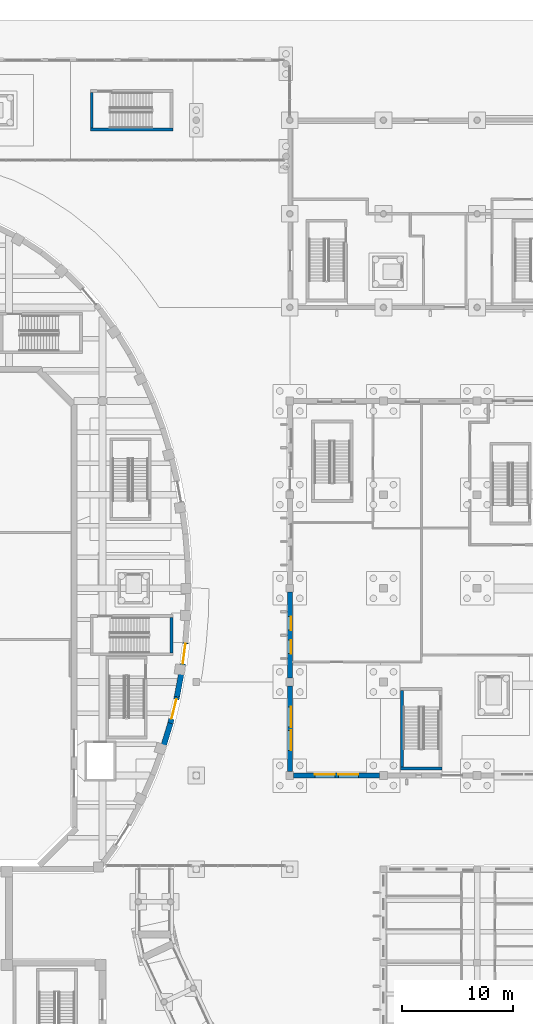
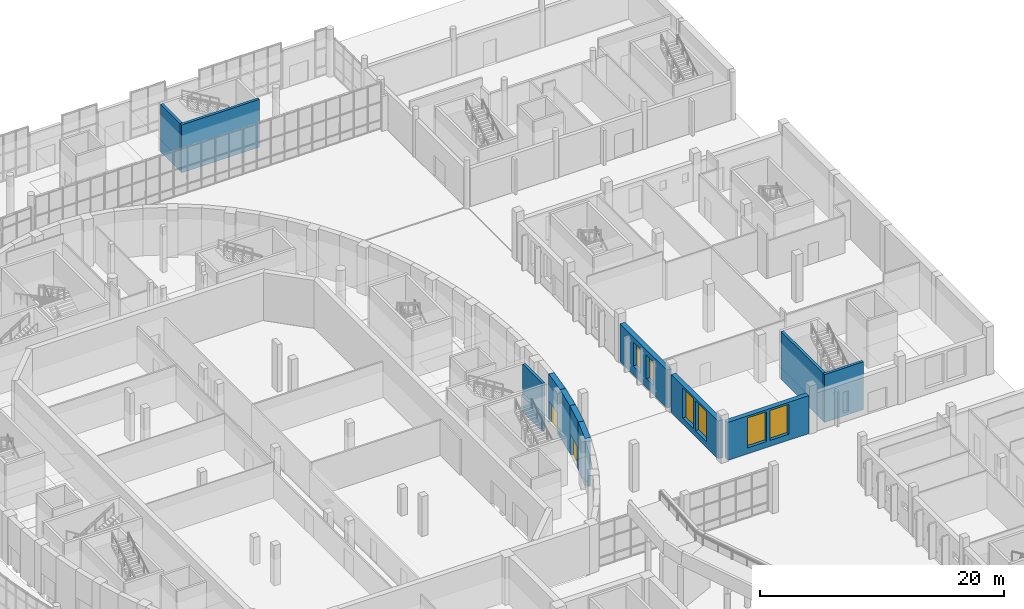
# One storey, part 65 of 110: 12 walls, 6 windows, 2 doors, 8 openings.
"""IFC4 building model written with IfcOpenShell, lengths in metres."""

from ifc_helpers import new_model, si_unit, direction, frame, frame_2d, origin, place, context, subcontext, project, spatial, rectangle, extrude, material, layer, layer_set, type_object, element, fill, save


model = new_model("IFC4")

# Units and contexts
model_context = context("Model", 3, precision=1e-05, world=origin(), true_north=direction((0.0, 1.0)))
body_context = subcontext(model_context, "Body", "Model", "MODEL_VIEW")
ifc_project = project(units=[si_unit("LENGTHUNIT", "METRE"), si_unit("AREAUNIT", "SQUARE_METRE"), si_unit("VOLUMEUNIT", "CUBIC_METRE"), si_unit("PLANEANGLEUNIT", "RADIAN"), si_unit("MASSUNIT", "GRAM", prefix="KILO")], contexts=[model_context])

# Site, building, storey
site_placement = place(None, origin())
site = spatial("IfcSite", under=ifc_project, at=site_placement, CompositionType="ELEMENT")
building_placement = place(site_placement, origin())
building = spatial("IfcBuilding", under=site, at=building_placement, Name="Larchfold Concert Hall", CompositionType="ELEMENT")
storey_placement = place(building_placement, origin())
storey = spatial("IfcBuildingStorey", under=building, at=storey_placement, Name="L00", CompositionType="ELEMENT", Elevation=0.0)

# Wall, openings, windows
ifc_material_1 = material(Name="Charred larch cladding on mineral wool and CLT", Category="wood")
ifc_layer_1 = layer(ifc_material_1, 0.449951171875)
ifc_layer_set_1 = layer_set([ifc_layer_1], Name="Charred larch cladding on mineral wool and CLT")
wall_type_1 = type_object("IfcWallType", Name="Charred larch infill wall 450", PredefinedType="SOLIDWALL", material=ifc_layer_set_1)
wall_1_placement = place(storey_placement, frame((76.199951171875, 84.25, 0.0), z_axis=(0.0, 0.0, 1.0), x_axis=(0.0, -1.0, 0.0)))
wall_1 = element("IfcWall", 1, at=wall_1_placement, inside=storey, type_object=wall_type_1, Name="Infill wall W5073", PredefinedType="SOLIDWALL", context=body_context, shape_type="SweptSolid", body=[
    extrude(rectangle(XDim=7.699951171875, YDim=0.449951171875, at=frame_2d((3.85009765625, 0.0))), origin(), (0.0, 0.0, 1.0), 3.800048828125),
])
opening_1_placement = place(wall_1_placement, frame((4.300048828125, 0.0, 0.89990234375)))
opening_1 = element("IfcOpeningElement", 2, at=opening_1_placement, cuts=wall_1, Name="Opening WN-L00-041", PredefinedType="OPENING", context=body_context, shape_type="SweptSolid", body=[
    extrude(rectangle(XDim=1.199951171875, YDim=2.39990234375, at=frame_2d((0.60009765625, 1.199951171875))), frame((0.0, 0.23486328125, 0.0), z_axis=(0.0, -1.0, 0.0), x_axis=(1.0, 0.0, 0.0)), (0.0, 0.0, 1.0), 0.469970703125),
])
opening_2_placement = place(wall_1_placement, frame((2.199951171875, 0.0, 0.89990234375)))
opening_2 = element("IfcOpeningElement", 3, at=opening_2_placement, cuts=wall_1, Name="Opening WN-L00-042", PredefinedType="OPENING", context=body_context, shape_type="SweptSolid", body=[
    extrude(rectangle(XDim=1.199951171875, YDim=2.39990234375, at=frame_2d((0.60009765625, 1.199951171875))), frame((0.0, 0.23486328125, 0.0), z_axis=(0.0, -1.0, 0.0), x_axis=(1.0, 0.0, 0.0)), (0.0, 0.0, 1.0), 0.469970703125),
])
ifc_material_2 = material(Name="Anodised graphite aluminium frame with glass", Category="aluminium")
window_type_1 = type_object("IfcWindowType", Name="Slot window 1200x2400", PartitioningType="SINGLE_PANEL", PredefinedType="WINDOW", material=ifc_material_2)
window_1_placement = place(opening_1_placement, origin())
window_1 = element("IfcWindow", 4, at=window_1_placement, inside=storey, type_object=window_type_1, Name="Window WN-L00-041", OverallHeight=2.39990234375, OverallWidth=1.199951171875, PartitioningType="SINGLE_PANEL", PredefinedType="WINDOW", context=body_context, shape_type="SweptSolid", body=[
    extrude(rectangle(XDim=1.199951171875, YDim=2.39990234375, at=frame_2d((0.60009765625, 1.199951171875))), frame((0.0, 0.135009765625, 0.0), z_axis=(0.0, -1.0, 0.0), x_axis=(1.0, 0.0, 0.0)), (0.0, 0.0, 1.0), 0.06005859375),
])
fill(opening_1, window_1)
window_2_placement = place(opening_2_placement, origin())
window_2 = element("IfcWindow", 5, at=window_2_placement, inside=storey, type_object=window_type_1, Name="Window WN-L00-042", OverallHeight=2.39990234375, OverallWidth=1.199951171875, PartitioningType="SINGLE_PANEL", PredefinedType="WINDOW", context=body_context, shape_type="SweptSolid", body=[
    extrude(rectangle(XDim=1.199951171875, YDim=2.39990234375, at=frame_2d((0.60009765625, 1.199951171875))), frame((0.0, 0.135009765625, 0.0), z_axis=(0.0, -1.0, 0.0), x_axis=(1.0, 0.0, 0.0)), (0.0, 0.0, 1.0), 0.06005859375),
])
fill(opening_2, window_2)

wall_2_placement = place(storey_placement, frame((76.199951171875, 75.849853515625, 0.0), z_axis=(0.0, 0.0, 1.0), x_axis=(0.0, -1.0, 0.0)))
wall_2 = element("IfcWall", 6, at=wall_2_placement, inside=storey, type_object=wall_type_1, Name="Infill wall W5074", PredefinedType="SOLIDWALL", context=body_context, shape_type="SweptSolid", body=[
    extrude(rectangle(XDim=7.69970703125, YDim=0.449951171875, at=frame_2d((3.849853515625, 0.0))), origin(), (0.0, 0.0, 1.0), 3.800048828125),
])
opening_3_placement = place(wall_2_placement, frame((3.999755859375, 0.0, 0.60009765625)))
opening_3 = element("IfcOpeningElement", 7, at=opening_3_placement, cuts=wall_2, Name="Opening WN-L00-043", PredefinedType="OPENING", context=body_context, shape_type="SweptSolid", body=[
    extrude(rectangle(XDim=1.800048828125, YDim=3.0, at=frame_2d((0.89990234375, 1.5))), frame((0.0, 0.23486328125, 0.0), z_axis=(0.0, -1.0, 0.0), x_axis=(1.0, 0.0, 0.0)), (0.0, 0.0, 1.0), 0.469970703125),
])
opening_4_placement = place(wall_2_placement, frame((1.89990234375, 0.0, 0.60009765625)))
opening_4 = element("IfcOpeningElement", 8, at=opening_4_placement, cuts=wall_2, Name="Opening WN-L00-044", PredefinedType="OPENING", context=body_context, shape_type="SweptSolid", body=[
    extrude(rectangle(XDim=1.800048828125, YDim=3.0, at=frame_2d((0.89990234375, 1.5))), frame((0.0, 0.23486328125, 0.0), z_axis=(0.0, -1.0, 0.0), x_axis=(1.0, 0.0, 0.0)), (0.0, 0.0, 1.0), 0.469970703125),
])
ifc_material_3 = material(Name="Anodised graphite aluminium frame with glass", Category="aluminium")
window_type_2 = type_object("IfcWindowType", Name="Foyer tall window 1800x3000", PartitioningType="DOUBLE_PANEL_VERTICAL", PredefinedType="WINDOW", material=ifc_material_3)
window_3_placement = place(opening_3_placement, origin())
window_3 = element("IfcWindow", 9, at=window_3_placement, inside=storey, type_object=window_type_2, Name="Window WN-L00-043", OverallHeight=3.0, OverallWidth=1.800048828125, PartitioningType="DOUBLE_PANEL_VERTICAL", PredefinedType="WINDOW", context=body_context, shape_type="SweptSolid", body=[
    extrude(rectangle(XDim=1.800048828125, YDim=3.0, at=frame_2d((0.89990234375, 1.5))), frame((0.0, 0.135009765625, 0.0), z_axis=(0.0, -1.0, 0.0), x_axis=(1.0, 0.0, 0.0)), (0.0, 0.0, 1.0), 0.06005859375),
])
fill(opening_3, window_3)
window_4_placement = place(opening_4_placement, origin())
window_4 = element("IfcWindow", 10, at=window_4_placement, inside=storey, type_object=window_type_2, Name="Window WN-L00-044", OverallHeight=3.0, OverallWidth=1.800048828125, PartitioningType="DOUBLE_PANEL_VERTICAL", PredefinedType="WINDOW", context=body_context, shape_type="SweptSolid", body=[
    extrude(rectangle(XDim=1.800048828125, YDim=3.0, at=frame_2d((0.89990234375, 1.5))), frame((0.0, 0.135009765625, 0.0), z_axis=(0.0, -1.0, 0.0), x_axis=(1.0, 0.0, 0.0)), (0.0, 0.0, 1.0), 0.06005859375),
])
fill(opening_4, window_4)

wall_3_placement = place(storey_placement, frame((76.550048828125, 67.800048828125, 0.0), z_axis=(0.0, 0.0, 1.0), x_axis=(1.0, 0.0, 0.0)))
wall_3 = element("IfcWall", 11, at=wall_3_placement, inside=storey, type_object=wall_type_1, Name="Infill wall W5075", PredefinedType="SOLIDWALL", context=body_context, shape_type="SweptSolid", body=[
    extrude(rectangle(XDim=7.699951171875, YDim=0.449951171875, at=frame_2d((3.85009765625, 0.0))), origin(), (0.0, 0.0, 1.0), 3.800048828125),
])
opening_5_placement = place(wall_3_placement, frame((1.89990234375, 0.0, 0.60009765625)))
opening_5 = element("IfcOpeningElement", 12, at=opening_5_placement, cuts=wall_3, Name="Opening WN-L00-045", PredefinedType="OPENING", context=body_context, shape_type="SweptSolid", body=[
    extrude(rectangle(XDim=1.800048828125, YDim=3.0, at=frame_2d((0.89990234375, 1.5))), frame((0.0, 0.23486328125, 0.0), z_axis=(0.0, -1.0, 0.0), x_axis=(1.0, 0.0, 0.0)), (0.0, 0.0, 1.0), 0.469970703125),
])
opening_6_placement = place(wall_3_placement, frame((4.0, 0.0, 0.60009765625)))
opening_6 = element("IfcOpeningElement", 13, at=opening_6_placement, cuts=wall_3, Name="Opening WN-L00-046", PredefinedType="OPENING", context=body_context, shape_type="SweptSolid", body=[
    extrude(rectangle(XDim=1.800048828125, YDim=3.0, at=frame_2d((0.89990234375, 1.5))), frame((0.0, 0.23486328125, 0.0), z_axis=(0.0, -1.0, 0.0), x_axis=(1.0, 0.0, 0.0)), (0.0, 0.0, 1.0), 0.469970703125),
])
window_5_placement = place(opening_5_placement, origin())
window_5 = element("IfcWindow", 14, at=window_5_placement, inside=storey, type_object=window_type_2, Name="Window WN-L00-045", OverallHeight=3.0, OverallWidth=1.800048828125, PartitioningType="DOUBLE_PANEL_VERTICAL", PredefinedType="WINDOW", context=body_context, shape_type="SweptSolid", body=[
    extrude(rectangle(XDim=1.800048828125, YDim=3.0, at=frame_2d((0.89990234375, 1.5))), frame((0.0, 0.135009765625, 0.0), z_axis=(0.0, -1.0, 0.0), x_axis=(1.0, 0.0, 0.0)), (0.0, 0.0, 1.0), 0.06005859375),
])
fill(opening_5, window_5)
window_6_placement = place(opening_6_placement, origin())
window_6 = element("IfcWindow", 15, at=window_6_placement, inside=storey, type_object=window_type_2, Name="Window WN-L00-046", OverallHeight=3.0, OverallWidth=1.800048828125, PartitioningType="DOUBLE_PANEL_VERTICAL", PredefinedType="WINDOW", context=body_context, shape_type="SweptSolid", body=[
    extrude(rectangle(XDim=1.800048828125, YDim=3.0, at=frame_2d((0.89990234375, 1.5))), frame((0.0, 0.135009765625, 0.0), z_axis=(0.0, -1.0, 0.0), x_axis=(1.0, 0.0, 0.0)), (0.0, 0.0, 1.0), 0.06005859375),
])
fill(opening_6, window_6)

# Walls
ifc_material_4 = material(Name="Concrete C40/50", Category="concrete")
ifc_layer_2 = layer(ifc_material_4, 0.25)
ifc_layer_set_2 = layer_set([ifc_layer_2], Name="Concrete C40/50")
wall_type_2 = type_object("IfcWallType", Name="Wall RC 250 stair core", PredefinedType="SOLIDWALL", material=ifc_layer_set_2)
wall_4_placement = place(storey_placement, frame((65.574951171875, 78.800048828125, 0.0), z_axis=(0.0, 0.0, 1.0), x_axis=(0.0, 1.0, 0.0)))
element("IfcWall", 16, at=wall_4_placement, inside=storey, type_object=wall_type_2, Name="Wall W0064", PredefinedType="SOLIDWALL", context=body_context, shape_type="SweptSolid", body=[
    extrude(rectangle(XDim=3.199951171875, YDim=0.25, at=frame_2d((1.60009765625, 0.0))), origin(), (0.0, 0.0, 1.0), 4.800048828125),
])
wall_5_placement = place(storey_placement, frame((86.14990234375, 68.425048828125, 0.0), z_axis=(0.0, 0.0, 1.0), x_axis=(1.0, 0.0, 0.0)))
element("IfcWall", 17, at=wall_5_placement, inside=storey, type_object=wall_type_2, Name="Wall W0093", PredefinedType="SOLIDWALL", context=body_context, shape_type="SweptSolid", body=[
    extrude(rectangle(XDim=3.7001953125, YDim=0.25, at=frame_2d((1.85009765625, 0.0))), origin(), (0.0, 0.0, 1.0), 4.800048828125),
])
wall_6_placement = place(storey_placement, frame((86.27490234375, 68.550048828125, 0.0), z_axis=(0.0, 0.0, 1.0), x_axis=(0.0, 1.0, 0.0)))
element("IfcWall", 18, at=wall_6_placement, inside=storey, type_object=wall_type_2, Name="Wall W0095", PredefinedType="SOLIDWALL", context=body_context, shape_type="SweptSolid", body=[
    extrude(rectangle(XDim=6.89990234375, YDim=0.25, at=frame_2d((3.449951171875, 0.0))), origin(), (0.0, 0.0, 1.0), 4.800048828125),
])
wall_7_placement = place(storey_placement, frame((58.300048828125, 125.77490234375, 0.0), z_axis=(0.0, 0.0, 1.0), x_axis=(1.0, 0.0, 0.0)))
element("IfcWall", 19, at=wall_7_placement, inside=storey, type_object=wall_type_2, Name="Wall W0133", PredefinedType="SOLIDWALL", context=body_context, shape_type="SweptSolid", body=[
    extrude(rectangle(XDim=7.39990234375, YDim=0.25, at=frame_2d((3.699951171875, 0.0))), origin(), (0.0, 0.0, 1.0), 4.800048828125),
])
wall_8_placement = place(storey_placement, frame((58.425048828125, 125.89990234375, 0.0), z_axis=(0.0, 0.0, 1.0), x_axis=(0.0, 1.0, 0.0)))
element("IfcWall", 20, at=wall_8_placement, inside=storey, type_object=wall_type_2, Name="Wall W0135", PredefinedType="SOLIDWALL", context=body_context, shape_type="SweptSolid", body=[
    extrude(rectangle(XDim=3.2001953125, YDim=0.25, at=frame_2d((1.60009765625, 0.0))), origin(), (0.0, 0.0, 1.0), 4.800048828125),
])
ifc_material_5 = material(Name="Concrete C30/37", Category="concrete")
ifc_layer_3 = layer(ifc_material_5, 0.5)
ifc_layer_set_3 = layer_set([ifc_layer_3], Name="Concrete C30/37")
wall_type_3 = type_object("IfcWallType", Name="Wall RC 500 drum facade", PredefinedType="SOLIDWALL", material=ifc_layer_set_3)
wall_9_placement = place(storey_placement, frame((64.778564453125, 70.154052734375, 0.0), z_axis=(0.0, 0.0, 1.0), x_axis=(0.29250219685, 0.95626485078, 0.0)))
element("IfcWall", 21, at=wall_9_placement, inside=storey, type_object=wall_type_3, Name="Wall DW056", PredefinedType="SOLIDWALL", context=body_context, shape_type="SweptSolid", body=[
    extrude(rectangle(XDim=2.448974609375, YDim=0.5, at=frame_2d((1.224609375, 0.0))), origin(), (0.0, 0.0, 1.0), 4.800048828125),
])

# Wall, opening, door
wall_10_placement = place(storey_placement, frame((65.494873046875, 72.495849609375, 0.0), z_axis=(0.0, 0.0, 1.0), x_axis=(0.237465633216, 0.971395940408, 0.0)))
wall_10 = element("IfcWall", 22, at=wall_10_placement, inside=storey, type_object=wall_type_3, Name="Wall DW057", PredefinedType="SOLIDWALL", context=body_context, shape_type="SweptSolid", body=[
    extrude(rectangle(XDim=2.448974609375, YDim=0.5, at=frame_2d((1.224609375, 0.0))), origin(), (0.0, 0.0, 1.0), 4.800048828125),
])
opening_7_placement = place(wall_10_placement, frame((2.201416015625, 0.0, 0.0), z_axis=(0.0, 0.0, 1.0), x_axis=(-1.0, 0.0, 0.0)))
opening_7 = element("IfcOpeningElement", 23, at=opening_7_placement, cuts=wall_10, Name="Opening D-L00-206", PredefinedType="OPENING", context=body_context, shape_type="SweptSolid", body=[
    extrude(rectangle(XDim=1.800048828125, YDim=2.10009765625, at=frame_2d((0.89990234375, 1.050048828125))), frame((0.0, 0.260009765625, 0.0), z_axis=(0.0, -1.0, 0.0), x_axis=(1.0, 0.0, 0.0)), (0.0, 0.0, 1.0), 0.52001953125),
])
ifc_material_6 = material(Name="Anodised graphite aluminium door leaf", Category="aluminium")
door_type = type_object("IfcDoorType", Name="Exit door double 1800x2100", OperationType="DOUBLE_DOOR_SINGLE_SWING", PredefinedType="DOOR", material=ifc_material_6)
door_1_placement = place(opening_7_placement, origin())
door_1 = element("IfcDoor", 24, at=door_1_placement, inside=storey, type_object=door_type, Name="Door D-L00-206", OperationType="DOUBLE_DOOR_SINGLE_SWING", OverallHeight=2.10009765625, OverallWidth=1.800048828125, PredefinedType="DOOR", context=body_context, shape_type="SweptSolid", body=[
    extrude(rectangle(XDim=1.800048828125, YDim=2.10009765625, at=frame_2d((0.89990234375, 1.050048828125))), frame((0.0, 0.02490234375, 0.0), z_axis=(0.0, -1.0, 0.0), x_axis=(1.0, 0.0, 0.0)), (0.0, 0.0, 1.0), 0.050048828125),
])
fill(opening_7, door_1)

# Wall
wall_11_placement = place(storey_placement, frame((66.076416015625, 74.874755859375, 0.0), z_axis=(0.0, 0.0, 1.0), x_axis=(0.183524085598, 0.983015213517, 0.0)))
element("IfcWall", 25, at=wall_11_placement, inside=storey, type_object=wall_type_3, Name="Wall DW058", PredefinedType="SOLIDWALL", context=body_context, shape_type="SweptSolid", body=[
    extrude(rectangle(XDim=2.448974609375, YDim=0.5, at=frame_2d((1.224609375, 0.0))), origin(), (0.0, 0.0, 1.0), 4.800048828125),
])

# Wall, opening, door
wall_12_placement = place(storey_placement, frame((66.52587890625, 77.2822265625, 0.0), z_axis=(0.0, 0.0, 1.0), x_axis=(0.130498353005, 0.991448526078, 0.0)))
wall_12 = element("IfcWall", 26, at=wall_12_placement, inside=storey, type_object=wall_type_3, Name="Wall DW059", PredefinedType="SOLIDWALL", context=body_context, shape_type="SweptSolid", body=[
    extrude(rectangle(XDim=2.448974609375, YDim=0.5, at=frame_2d((1.224609375, 0.0))), origin(), (0.0, 0.0, 1.0), 4.800048828125),
])
opening_8_placement = place(wall_12_placement, frame((2.348876953125, 0.0, 0.0), z_axis=(0.0, 0.0, 1.0), x_axis=(-1.0, 0.0, 0.0)))
opening_8 = element("IfcOpeningElement", 27, at=opening_8_placement, cuts=wall_12, Name="Opening D-L00-208", PredefinedType="OPENING", context=body_context, shape_type="SweptSolid", body=[
    extrude(rectangle(XDim=1.800048828125, YDim=2.10009765625, at=frame_2d((0.89990234375, 1.050048828125))), frame((0.0, 0.260009765625, 0.0), z_axis=(0.0, -1.0, 0.0), x_axis=(1.0, 0.0, 0.0)), (0.0, 0.0, 1.0), 0.52001953125),
])
door_2_placement = place(opening_8_placement, origin())
door_2 = element("IfcDoor", 28, at=door_2_placement, inside=storey, type_object=door_type, Name="Door D-L00-208", OperationType="DOUBLE_DOOR_SINGLE_SWING", OverallHeight=2.10009765625, OverallWidth=1.800048828125, PredefinedType="DOOR", context=body_context, shape_type="SweptSolid", body=[
    extrude(rectangle(XDim=1.800048828125, YDim=2.10009765625, at=frame_2d((0.89990234375, 1.050048828125))), frame((0.0, 0.02490234375, 0.0), z_axis=(0.0, -1.0, 0.0), x_axis=(1.0, 0.0, 0.0)), (0.0, 0.0, 1.0), 0.050048828125),
])
fill(opening_8, door_2)

save(model, "model.ifc")
